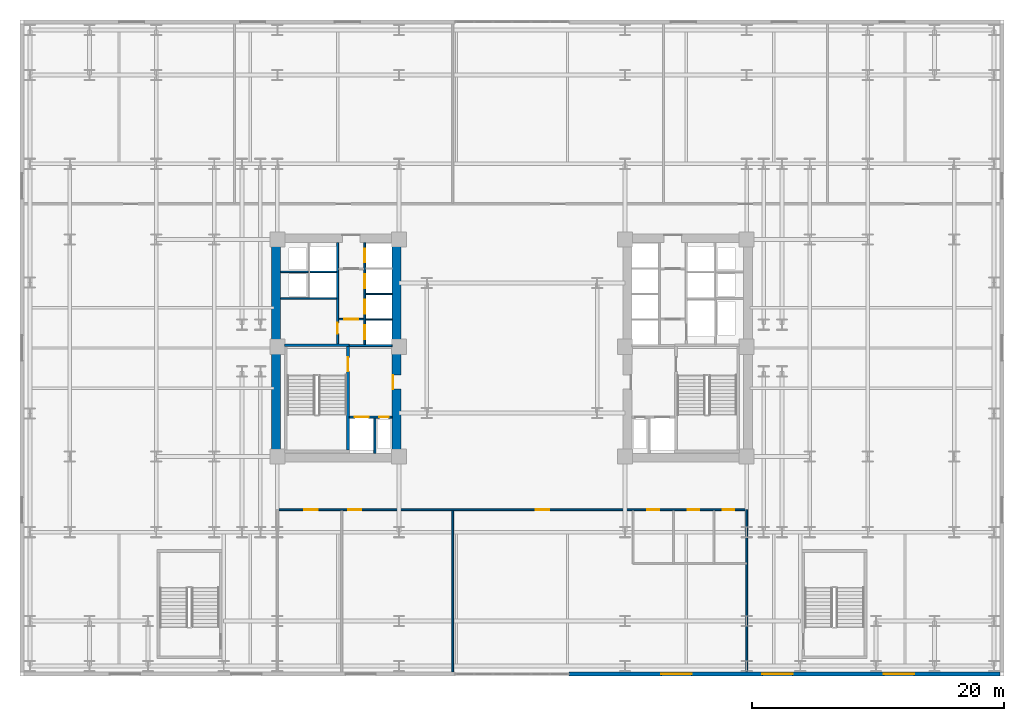
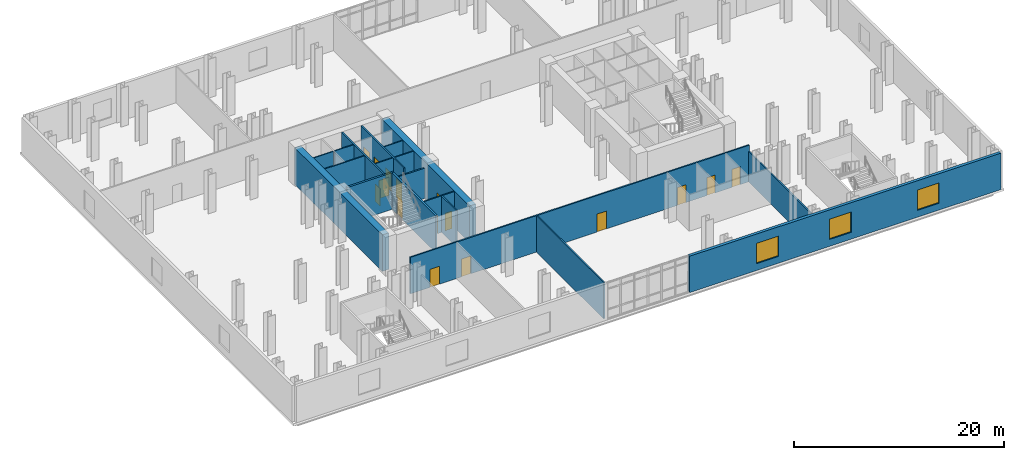
# One storey, part 8 of 13: 19 walls, 16 doors, 3 windows, 19 openings.
"""IFC4 building model written with IfcOpenShell, lengths in metres."""

from ifc_helpers import new_model, si_unit, direction, frame, frame_2d, origin, place, context, subcontext, project, spatial, rectangle, extrude, material, layer, layer_set, type_object, element, fill, save


model = new_model("IFC4")

# Units and contexts
model_context = context("Model", 3, precision=1e-05, world=origin(), true_north=direction((0.0, 1.0)))
body_context = subcontext(model_context, "Body", "Model", "MODEL_VIEW")
ifc_project = project(units=[si_unit("LENGTHUNIT", "METRE"), si_unit("AREAUNIT", "SQUARE_METRE"), si_unit("VOLUMEUNIT", "CUBIC_METRE"), si_unit("PLANEANGLEUNIT", "RADIAN"), si_unit("MASSUNIT", "GRAM", prefix="KILO")], contexts=[model_context])

# Site, building, storey
site_placement = place(None, origin())
site = spatial("IfcSite", under=ifc_project, at=site_placement, CompositionType="ELEMENT")
building_placement = place(site_placement, origin())
building = spatial("IfcBuilding", under=site, at=building_placement, Name="Velakula Bourse", CompositionType="ELEMENT")
storey_placement = place(building_placement, frame((0.0, 0.0, 9.60009765625)))
storey = spatial("IfcBuildingStorey", under=building, at=storey_placement, Name="L02", CompositionType="ELEMENT", Elevation=9.60009765625)

# Wall, opening, door
ifc_material_1 = material(Name="Concrete M50 (fck 50 MPa)", Category="concrete")
ifc_layer_1 = layer(ifc_material_1, 0.2099609375, Name="Concrete M50 (fck 50 MPa)", Category="concrete")
ifc_layer_set_1 = layer_set([ifc_layer_1], Name="Concrete M50 (fck 50 MPa)")
wall_type_1 = type_object("IfcWallType", Name="WL-CORE-210", PredefinedType="SHEAR", material=ifc_layer_set_1)
wall_1_placement = place(storey_placement, frame((-12.9951171875, -8.10009765625, 0.0), z_axis=(0.0, 0.0, 1.0), x_axis=(0.0, 1.0, 0.0)))
wall_1 = element("IfcWall", 1, at=wall_1_placement, inside=storey, type_object=wall_type_1, Name="L02 Core W Stairwell Shear Wall IN", PredefinedType="SHEAR", context=body_context, shape_type="SweptSolid", body=[
    extrude(rectangle(XDim=8.2001953125, YDim=0.2099609375, at=frame_2d((4.10009765625, 0.0))), origin(), (0.0, 0.0, 1.0), 4.25),
])
opening_1_placement = place(wall_1_placement, frame((6.25, 0.0, 0.0)))
opening_1 = element("IfcOpeningElement", 2, at=opening_1_placement, cuts=wall_1, Name="Opening D-STW1", PredefinedType="OPENING", context=body_context, shape_type="SweptSolid", body=[
    extrude(rectangle(XDim=1.10009765625, YDim=2.14990234375, at=frame_2d((0.550048828125, 1.074951171875))), frame((0.0, 0.114990234375, 0.0), z_axis=(0.0, -1.0, 0.0), x_axis=(1.0, 0.0, 0.0)), (0.0, 0.0, 1.0), 0.22998046875),
])
ifc_material_2 = material(Name="Galvanised painted hollow steel fire door", Category="steel")
door_type_1 = type_object("IfcDoorType", Name="DR-FD120-1100x2150", OperationType="NOTDEFINED", PredefinedType="DOOR", material=ifc_material_2)
door_1_placement = place(opening_1_placement, origin())
door_1 = element("IfcDoor", 3, at=door_1_placement, inside=storey, type_object=door_type_1, Name="L02 Stair ST-W1 Fire Door", OperationType="SINGLE_SWING_LEFT", OverallHeight=2.14990234375, OverallWidth=1.10009765625, PredefinedType="DOOR", context=body_context, shape_type="SweptSolid", body=[
    extrude(rectangle(XDim=1.10009765625, YDim=2.14990234375, at=frame_2d((0.550048828125, 1.074951171875))), frame((0.0, 0.02490234375, 0.0), z_axis=(0.0, -1.0, 0.0), x_axis=(1.0, 0.0, 0.0)), (0.0, 0.0, 1.0), 0.050048828125),
])
fill(opening_1, door_1)

# Walls
wall_2_placement = place(storey_placement, frame((-12.889892578125, 0.205078125, 0.0), z_axis=(0.0, 0.0, 1.0), x_axis=(-1.0, 0.0, 0.0)))
element("IfcWall", 4, at=wall_2_placement, inside=storey, type_object=wall_type_1, Name="L02 Core W Stairwell Shear Wall N", PredefinedType="SHEAR", context=body_context, shape_type="SweptSolid", body=[
    extrude(rectangle(XDim=5.14013671875, YDim=0.2099609375, at=frame_2d((2.570068359375, 0.0))), origin(), (0.0, 0.0, 1.0), 4.25),
])
ifc_material_3 = material(Name="Concrete M70 (fck 70 MPa)", Category="concrete")
ifc_layer_2 = layer(ifc_material_3, 0.699951171875, Name="Concrete M70 (fck 70 MPa)", Category="concrete")
ifc_layer_set_2 = layer_set([ifc_layer_2], Name="Concrete M70 (fck 70 MPa)")
wall_type_2 = type_object("IfcWallType", Name="WL-CORE-700", PredefinedType="SHEAR", material=ifc_layer_set_2)
wall_3_placement = place(storey_placement, frame((-18.699951171875, -8.35009765625, 0.0), z_axis=(0.0, 0.0, 1.0), x_axis=(0.0, 1.0, 0.0)))
element("IfcWall", 5, at=wall_3_placement, inside=storey, type_object=wall_type_2, Name="L02 Core W Shear Wall W", PredefinedType="SHEAR", context=body_context, shape_type="SweptSolid", body=[
    extrude(rectangle(XDim=16.7001953125, YDim=0.699951171875, at=frame_2d((8.35009765625, 0.0))), origin(), (0.0, 0.0, 1.0), 4.25),
])

# Wall, opening, door
wall_4_placement = place(storey_placement, frame((-9.14990234375, -8.35009765625, 0.0), z_axis=(0.0, 0.0, 1.0), x_axis=(0.0, 1.0, 0.0)))
wall_4 = element("IfcWall", 6, at=wall_4_placement, inside=storey, type_object=wall_type_2, Name="L02 Core W Shear Wall E", PredefinedType="SHEAR", context=body_context, shape_type="SweptSolid", body=[
    extrude(rectangle(XDim=16.7001953125, YDim=0.699951171875, at=frame_2d((8.35009765625, 0.0))), origin(), (0.0, 0.0, 1.0), 4.25),
])
opening_2_placement = place(wall_4_placement, frame((5.10009765625, 0.0, 0.0)))
opening_2 = element("IfcOpeningElement", 7, at=opening_2_placement, cuts=wall_4, Name="Opening D-FLW", PredefinedType="OPENING", context=body_context, shape_type="SweptSolid", body=[
    extrude(rectangle(XDim=1.10009765625, YDim=2.080078125, at=frame_2d((0.550048828125, 1.0400390625))), frame((0.0, 0.35986328125, 0.0), z_axis=(0.0, -1.0, 0.0), x_axis=(1.0, 0.0, 0.0)), (0.0, 0.0, 1.0), 0.719970703125),
])
door_type_2 = type_object("IfcDoorType", Name="DR-FD120-1100", OperationType="NOTDEFINED", PredefinedType="DOOR", material=ifc_material_2)
door_2_placement = place(opening_2_placement, origin())
door_2 = element("IfcDoor", 8, at=door_2_placement, inside=storey, type_object=door_type_2, Name="L02 Firefighting Lobby W Corridor Fire Door", OperationType="SINGLE_SWING_LEFT", OverallHeight=2.080078125, OverallWidth=1.10009765625, PredefinedType="DOOR", context=body_context, shape_type="SweptSolid", body=[
    extrude(rectangle(XDim=1.10009765625, YDim=2.080078125, at=frame_2d((0.550048828125, 1.0400390625))), frame((0.0, 0.30517578125, 0.0), z_axis=(0.0, -1.0, 0.0), x_axis=(1.0, 0.0, 0.0)), (0.0, 0.0, 1.0), 0.050048828125),
])
fill(opening_2, door_2)

# Wall, openings, windows
ifc_material_4 = material(Name="Red kilned clay facing brick masonry", Category="masonry")
ifc_layer_3 = layer(ifc_material_4, 0.320068359375, Name="Red kilned clay facing brick masonry", Category="masonry")
ifc_layer_set_3 = layer_set([ifc_layer_3], Name="Red kilned clay facing brick masonry")
wall_type_3 = type_object("IfcWallType", Name="WL-EXT-BRK-320", PredefinedType="STANDARD", material=ifc_layer_set_3)
wall_5_placement = place(storey_placement, frame((38.679931640625, -25.840087890625, 0.0), z_axis=(0.0, 0.0, 1.0), x_axis=(-1.0, 0.0, 0.0)))
wall_5 = element("IfcWall", 9, at=wall_5_placement, inside=storey, type_object=wall_type_3, Name="L02 South Brick Facade Wall 1", PredefinedType="STANDARD", context=body_context, shape_type="SweptSolid", body=[
    extrude(rectangle(XDim=34.179931640625, YDim=0.320068359375, at=frame_2d((17.08984375, 0.0))), origin(), (0.0, 0.0, 1.0), 4.22998046875),
])
opening_3_placement = place(wall_5_placement, frame((6.794921875, 0.0, 0.800048828125)))
opening_3 = element("IfcOpeningElement", 10, at=opening_3_placement, cuts=wall_5, Name="Opening W-06", PredefinedType="OPENING", context=body_context, shape_type="SweptSolid", body=[
    extrude(rectangle(XDim=2.39990234375, YDim=2.35009765625, at=frame_2d((1.199951171875, 1.175048828125))), frame((0.0, 0.169921875, 0.0), z_axis=(0.0, -1.0, 0.0), x_axis=(1.0, 0.0, 0.0)), (0.0, 0.0, 1.0), 0.340087890625),
])
opening_4_placement = place(wall_5_placement, frame((16.43994140625, 0.0, 0.800048828125)))
opening_4 = element("IfcOpeningElement", 11, at=opening_4_placement, cuts=wall_5, Name="Opening W-06", PredefinedType="OPENING", context=body_context, shape_type="SweptSolid", body=[
    extrude(rectangle(XDim=2.39990234375, YDim=2.35009765625, at=frame_2d((1.199951171875, 1.175048828125))), frame((0.0, 0.169921875, 0.0), z_axis=(0.0, -1.0, 0.0), x_axis=(1.0, 0.0, 0.0)), (0.0, 0.0, 1.0), 0.340087890625),
])
opening_5_placement = place(wall_5_placement, frame((24.43505859375, 0.0, 0.800048828125)))
opening_5 = element("IfcOpeningElement", 12, at=opening_5_placement, cuts=wall_5, Name="Opening W-06", PredefinedType="OPENING", context=body_context, shape_type="SweptSolid", body=[
    extrude(rectangle(XDim=2.39990234375, YDim=2.35009765625, at=frame_2d((1.199951171875, 1.175048828125))), frame((0.0, 0.169921875, 0.0), z_axis=(0.0, -1.0, 0.0), x_axis=(1.0, 0.0, 0.0)), (0.0, 0.0, 1.0), 0.340087890625),
])
ifc_material_5 = material(Name="Double-glazed solar-control Low-E glass", Category="glass")
window_type = type_object("IfcWindowType", Name="WIN-POD-2400x2600", PartitioningType="DOUBLE_PANEL_VERTICAL", PredefinedType="WINDOW", material=ifc_material_5)
window_1_placement = place(opening_3_placement, origin())
window_1 = element("IfcWindow", 13, at=window_1_placement, inside=storey, type_object=window_type, Name="L02 Deep-Set Recessed Window 1", OverallHeight=2.35009765625, OverallWidth=2.39990234375, PartitioningType="DOUBLE_PANEL_VERTICAL", PredefinedType="WINDOW", context=body_context, shape_type="SweptSolid", body=[
    extrude(rectangle(XDim=2.39990234375, YDim=2.35009765625, at=frame_2d((1.199951171875, 1.175048828125))), frame((0.0, 0.030029296875, 0.0), z_axis=(0.0, -1.0, 0.0), x_axis=(1.0, 0.0, 0.0)), (0.0, 0.0, 1.0), 0.06005859375),
])
fill(opening_3, window_1)
window_2_placement = place(opening_4_placement, origin())
window_2 = element("IfcWindow", 14, at=window_2_placement, inside=storey, type_object=window_type, Name="L02 Deep-Set Recessed Window 2", OverallHeight=2.35009765625, OverallWidth=2.39990234375, PartitioningType="DOUBLE_PANEL_VERTICAL", PredefinedType="WINDOW", context=body_context, shape_type="SweptSolid", body=[
    extrude(rectangle(XDim=2.39990234375, YDim=2.35009765625, at=frame_2d((1.199951171875, 1.175048828125))), frame((0.0, 0.030029296875, 0.0), z_axis=(0.0, -1.0, 0.0), x_axis=(1.0, 0.0, 0.0)), (0.0, 0.0, 1.0), 0.06005859375),
])
fill(opening_4, window_2)
window_3_placement = place(opening_5_placement, origin())
window_3 = element("IfcWindow", 15, at=window_3_placement, inside=storey, type_object=window_type, Name="L02 Deep-Set Recessed Window 3", OverallHeight=2.35009765625, OverallWidth=2.39990234375, PartitioningType="DOUBLE_PANEL_VERTICAL", PredefinedType="WINDOW", context=body_context, shape_type="SweptSolid", body=[
    extrude(rectangle(XDim=2.39990234375, YDim=2.35009765625, at=frame_2d((1.199951171875, 1.175048828125))), frame((0.0, 0.030029296875, 0.0), z_axis=(0.0, -1.0, 0.0), x_axis=(1.0, 0.0, 0.0)), (0.0, 0.0, 1.0), 0.06005859375),
])
fill(opening_5, window_3)

# Wall, opening, door
ifc_material_6 = material(Name="Fire-rated double-layer gypsum drywall partition", Category="gypsum")
ifc_layer_4 = layer(ifc_material_6, 0.1201171875, Name="Fire-rated double-layer gypsum drywall partition", Category="gypsum")
ifc_layer_set_4 = layer_set([ifc_layer_4], Name="Fire-rated double-layer gypsum drywall partition")
wall_type_4 = type_object("IfcWallType", Name="WL-PART-120", PredefinedType="STANDARD", material=ifc_layer_set_4)
wall_6_placement = place(storey_placement, frame((-13.75, 2.280029296875, 0.0), z_axis=(0.0, 0.0, 1.0), x_axis=(1.0, 0.0, 0.0)))
wall_6 = element("IfcWall", 16, at=wall_6_placement, inside=storey, type_object=wall_type_4, Name="L02 Interior Partition WL-CRW-L02-LL-K3A", PredefinedType="STANDARD", context=body_context, shape_type="SweptSolid", body=[
    extrude(rectangle(XDim=2.0, YDim=0.1201171875, at=frame_2d((1.0, 0.0))), origin(), (0.0, 0.0, 1.0), 4.22998046875),
])
opening_6_placement = place(wall_6_placement, frame((0.449951171875, 0.0, 0.0)))
opening_6 = element("IfcOpeningElement", 17, at=opening_6_placement, cuts=wall_6, Name="Opening D-LK3", PredefinedType="OPENING", context=body_context, shape_type="SweptSolid", body=[
    extrude(rectangle(XDim=1.10009765625, YDim=2.10009765625, at=frame_2d((0.550048828125, 1.050048828125))), frame((0.0, 0.070068359375, 0.0), z_axis=(0.0, -1.0, 0.0), x_axis=(1.0, 0.0, 0.0)), (0.0, 0.0, 1.0), 0.14013671875),
])
ifc_material_7 = material(Name="Fire-rated hardwood flush architectural door", Category="wood")
door_type_3 = type_object("IfcDoorType", Name="DR-FD60-1100x2100", OperationType="NOTDEFINED", PredefinedType="DOOR", material=ifc_material_7)
door_3_placement = place(opening_6_placement, origin())
door_3 = element("IfcDoor", 18, at=door_3_placement, inside=storey, type_object=door_type_3, Name="L02 Core W Lift Lobby Vestibule Door A", OperationType="SINGLE_SWING_RIGHT", OverallHeight=2.10009765625, OverallWidth=1.10009765625, PredefinedType="DOOR", context=body_context, shape_type="SweptSolid", body=[
    extrude(rectangle(XDim=1.10009765625, YDim=2.10009765625, at=frame_2d((0.550048828125, 1.050048828125))), frame((0.0, 0.02490234375, 0.0), z_axis=(0.0, -1.0, 0.0), x_axis=(1.0, 0.0, 0.0)), (0.0, 0.0, 1.0), 0.050048828125),
])
fill(opening_6, door_3)

# Walls
for number, where, z_axis, x_axis, name in (
    (19, (-11.60009765625, 2.2548828125, 0.0), (0.0, 0.0, 1.0), (1.0, 0.0, 0.0), "L02 Interior Partition WL-CRW-L02-BDIV-0"),
    (20, (-11.60009765625, 4.284912109375, 0.0), (0.0, 0.0, 1.0), (1.0, 0.0, 0.0), "L02 Interior Partition WL-CRW-L02-BDIV-1"),
):
    element("IfcWall", number, at=place(storey_placement, frame(where, z_axis=z_axis, x_axis=x_axis)), inside=storey, type_object=wall_type_4, Name=name, PredefinedType="STANDARD", context=body_context, shape_type="SweptSolid", body=[
        extrude(rectangle(XDim=2.10009765625, YDim=0.110107421875, at=frame_2d((1.050048828125, 0.0))), origin(), (0.0, 0.0, 1.0), 4.22998046875),
    ])
wall_7_placement = place(storey_placement, frame((-18.35009765625, 3.919921875, 0.0), z_axis=(0.0, 0.0, 1.0), x_axis=(1.0, 0.0, 0.0)))
element("IfcWall", 21, at=wall_7_placement, inside=storey, type_object=wall_type_4, Name="L02 Interior Partition WL-CRW-L02-HI-S", PredefinedType="STANDARD", context=body_context, shape_type="SweptSolid", body=[
    extrude(rectangle(XDim=4.4501953125, YDim=0.1201171875, at=frame_2d((2.22509765625, 0.0))), origin(), (0.0, 0.0, 1.0), 4.22998046875),
])
wall_8_placement = place(storey_placement, frame((-18.35009765625, 6.030029296875, 0.0), z_axis=(0.0, 0.0, 1.0), x_axis=(1.0, 0.0, 0.0)))
element("IfcWall", 22, at=wall_8_placement, inside=storey, type_object=wall_type_4, Name="L02 Interior Partition WL-CRW-L02-RIS-MID", PredefinedType="STANDARD", context=body_context, shape_type="SweptSolid", body=[
    extrude(rectangle(XDim=2.2001953125, YDim=0.1201171875, at=frame_2d((1.10009765625, 0.0))), origin(), (0.0, 0.0, 1.0), 4.22998046875),
])
wall_9_placement = place(storey_placement, frame((-16.0, 6.030029296875, 0.0), z_axis=(0.0, 0.0, 1.0), x_axis=(1.0, 0.0, 0.0)))
element("IfcWall", 23, at=wall_9_placement, inside=storey, type_object=wall_type_4, Name="L02 Interior Partition WL-CRW-L02-HI-DIV", PredefinedType="STANDARD", context=body_context, shape_type="SweptSolid", body=[
    extrude(rectangle(XDim=2.10009765625, YDim=0.1201171875, at=frame_2d((1.050048828125, 0.0))), origin(), (0.0, 0.0, 1.0), 4.22998046875),
])
ifc_layer_5 = layer(ifc_material_6, 0.139892578125, Name="Fire-rated double-layer gypsum drywall partition", Category="gypsum")
ifc_layer_set_5 = layer_set([ifc_layer_5], Name="Fire-rated double-layer gypsum drywall partition")
wall_type_5 = type_object("IfcWallType", Name="WL-PART-140", PredefinedType="STANDARD", material=ifc_layer_set_5)
wall_10_placement = place(storey_placement, frame((18.60009765625, -25.679931640625, 0.0), z_axis=(0.0, 0.0, 1.0), x_axis=(0.0, 1.0, 0.0)))
element("IfcWall", 24, at=wall_10_placement, inside=storey, type_object=wall_type_5, Name="L02 Interior Partition WL-POD-L02-SE-END", PredefinedType="STANDARD", context=body_context, shape_type="SweptSolid", body=[
    extrude(rectangle(XDim=12.85986328125, YDim=0.139892578125, at=frame_2d((6.429931640625, 0.0))), origin(), (0.0, 0.0, 1.0), 3.52490234375),
])

# Wall, openings, doors
wall_11_placement = place(storey_placement, frame((-18.60009765625, -12.820068359375, 0.0), z_axis=(0.0, 0.0, 1.0), x_axis=(1.0, 0.0, 0.0)))
wall_11 = element("IfcWall", 25, at=wall_11_placement, inside=storey, type_object=wall_type_5, Name="L02 Interior Partition WL-POD-L02-S-CORR", PredefinedType="STANDARD", context=body_context, shape_type="SweptSolid", body=[
    extrude(rectangle(XDim=37.2001953125, YDim=0.14990234375, at=frame_2d((18.60009765625, 0.0))), origin(), (0.0, 0.0, 1.0), 4.22998046875),
])
opening_7_placement = place(wall_11_placement, frame((29.340087890625, 0.0, 0.0)))
opening_7 = element("IfcOpeningElement", 26, at=opening_7_placement, cuts=wall_11, Name="Opening D-WT1", PredefinedType="OPENING", context=body_context, shape_type="SweptSolid", body=[
    extrude(rectangle(XDim=0.919921875, YDim=2.080078125, at=frame_2d((0.4599609375, 1.0400390625))), frame((0.0, 0.0849609375, 0.0), z_axis=(0.0, -1.0, 0.0), x_axis=(1.0, 0.0, 0.0)), (0.0, 0.0, 1.0), 0.169921875),
])
opening_8_placement = place(wall_11_placement, frame((32.5400390625, 0.0, 0.0)))
opening_8 = element("IfcOpeningElement", 27, at=opening_8_placement, cuts=wall_11, Name="Opening D-WT1", PredefinedType="OPENING", context=body_context, shape_type="SweptSolid", body=[
    extrude(rectangle(XDim=0.919921875, YDim=2.080078125, at=frame_2d((0.4599609375, 1.0400390625))), frame((0.0, 0.0849609375, 0.0), z_axis=(0.0, -1.0, 0.0), x_axis=(1.0, 0.0, 0.0)), (0.0, 0.0, 1.0), 0.169921875),
])
opening_9_placement = place(wall_11_placement, frame((35.31396484375, 0.0, 0.0)))
opening_9 = element("IfcOpeningElement", 28, at=opening_9_placement, cuts=wall_11, Name="Opening D-WC1", PredefinedType="OPENING", context=body_context, shape_type="SweptSolid", body=[
    extrude(rectangle(XDim=0.919921875, YDim=2.080078125, at=frame_2d((0.4599609375, 1.0400390625))), frame((0.0, 0.0849609375, 0.0), z_axis=(0.0, -1.0, 0.0), x_axis=(1.0, 0.0, 0.0)), (0.0, 0.0, 1.0), 0.169921875),
])
opening_10_placement = place(wall_11_placement, frame((2.15087890625, 0.0, 0.0)))
opening_10 = element("IfcOpeningElement", 29, at=opening_10_placement, cuts=wall_11, Name="Opening D-PD2", PredefinedType="OPENING", context=body_context, shape_type="SweptSolid", body=[
    extrude(rectangle(XDim=1.050048828125, YDim=2.080078125, at=frame_2d((0.52490234375, 1.0400390625))), frame((0.0, 0.0849609375, 0.0), z_axis=(0.0, -1.0, 0.0), x_axis=(1.0, 0.0, 0.0)), (0.0, 0.0, 1.0), 0.169921875),
])
opening_11_placement = place(wall_11_placement, frame((5.60302734375, 0.0, 0.0)))
opening_11 = element("IfcOpeningElement", 30, at=opening_11_placement, cuts=wall_11, Name="Opening D-PD2", PredefinedType="OPENING", context=body_context, shape_type="SweptSolid", body=[
    extrude(rectangle(XDim=1.050048828125, YDim=2.080078125, at=frame_2d((0.52490234375, 1.0400390625))), frame((0.0, 0.0849609375, 0.0), z_axis=(0.0, -1.0, 0.0), x_axis=(1.0, 0.0, 0.0)), (0.0, 0.0, 1.0), 0.169921875),
])
opening_12_placement = place(wall_11_placement, frame((20.4951171875, 0.0, 0.0)))
opening_12 = element("IfcOpeningElement", 31, at=opening_12_placement, cuts=wall_11, Name="Opening D-PD2", PredefinedType="OPENING", context=body_context, shape_type="SweptSolid", body=[
    extrude(rectangle(XDim=1.050048828125, YDim=2.080078125, at=frame_2d((0.52490234375, 1.0400390625))), frame((0.0, 0.0849609375, 0.0), z_axis=(0.0, -1.0, 0.0), x_axis=(1.0, 0.0, 0.0)), (0.0, 0.0, 1.0), 0.169921875),
])
door_type_4 = type_object("IfcDoorType", Name="DR-OFF-1050", OperationType="NOTDEFINED", PredefinedType="DOOR", material=ifc_material_7)
door_4_placement = place(opening_10_placement, origin())
door_4 = element("IfcDoor", 32, at=door_4_placement, inside=storey, type_object=door_type_4, Name="L02 Financial Bookshop Retail Kiosk Door", OperationType="SINGLE_SWING_LEFT", OverallHeight=2.080078125, OverallWidth=1.050048828125, PredefinedType="DOOR", context=body_context, shape_type="SweptSolid", body=[
    extrude(rectangle(XDim=1.050048828125, YDim=2.080078125, at=frame_2d((0.52490234375, 1.0400390625))), frame((0.0, 0.02490234375, 0.0), z_axis=(0.0, -1.0, 0.0), x_axis=(1.0, 0.0, 0.0)), (0.0, 0.0, 1.0), 0.050048828125),
])
fill(opening_10, door_4)
door_5_placement = place(opening_11_placement, origin())
door_5 = element("IfcDoor", 33, at=door_5_placement, inside=storey, type_object=door_type_4, Name="L02 Investor Seminar Room B Door", OperationType="SINGLE_SWING_RIGHT", OverallHeight=2.080078125, OverallWidth=1.050048828125, PredefinedType="DOOR", context=body_context, shape_type="SweptSolid", body=[
    extrude(rectangle(XDim=1.050048828125, YDim=2.080078125, at=frame_2d((0.52490234375, 1.0400390625))), frame((0.0, 0.02490234375, 0.0), z_axis=(0.0, -1.0, 0.0), x_axis=(1.0, 0.0, 0.0)), (0.0, 0.0, 1.0), 0.050048828125),
])
fill(opening_11, door_5)
door_6_placement = place(opening_12_placement, origin())
door_6 = element("IfcDoor", 34, at=door_6_placement, inside=storey, type_object=door_type_4, Name="L02 Archival Reading Library Door", OperationType="SINGLE_SWING_LEFT", OverallHeight=2.080078125, OverallWidth=1.050048828125, PredefinedType="DOOR", context=body_context, shape_type="SweptSolid", body=[
    extrude(rectangle(XDim=1.050048828125, YDim=2.080078125, at=frame_2d((0.52490234375, 1.0400390625))), frame((0.0, 0.02490234375, 0.0), z_axis=(0.0, -1.0, 0.0), x_axis=(1.0, 0.0, 0.0)), (0.0, 0.0, 1.0), 0.050048828125),
])
fill(opening_12, door_6)
door_type_5 = type_object("IfcDoorType", Name="DR-WC-950", OperationType="NOTDEFINED", PredefinedType="DOOR", material=ifc_material_7)
door_7_placement = place(opening_7_placement, origin())
door_7 = element("IfcDoor", 35, at=door_7_placement, inside=storey, type_object=door_type_5, Name="L02 Male Public Toilet Door", OperationType="SINGLE_SWING_RIGHT", OverallHeight=2.080078125, OverallWidth=0.919921875, PredefinedType="DOOR", context=body_context, shape_type="SweptSolid", body=[
    extrude(rectangle(XDim=0.919921875, YDim=2.080078125, at=frame_2d((0.4599609375, 1.0400390625))), frame((0.0, 0.02490234375, 0.0), z_axis=(0.0, -1.0, 0.0), x_axis=(1.0, 0.0, 0.0)), (0.0, 0.0, 1.0), 0.050048828125),
])
fill(opening_7, door_7)
door_8_placement = place(opening_8_placement, origin())
door_8 = element("IfcDoor", 36, at=door_8_placement, inside=storey, type_object=door_type_5, Name="L02 Female Public Toilet Door", OperationType="SINGLE_SWING_LEFT", OverallHeight=2.080078125, OverallWidth=0.919921875, PredefinedType="DOOR", context=body_context, shape_type="SweptSolid", body=[
    extrude(rectangle(XDim=0.919921875, YDim=2.080078125, at=frame_2d((0.4599609375, 1.0400390625))), frame((0.0, 0.02490234375, 0.0), z_axis=(0.0, -1.0, 0.0), x_axis=(1.0, 0.0, 0.0)), (0.0, 0.0, 1.0), 0.050048828125),
])
fill(opening_8, door_8)
door_9_placement = place(opening_9_placement, origin())
door_9 = element("IfcDoor", 37, at=door_9_placement, inside=storey, type_object=door_type_5, Name="L02 Accessible WC Door", OperationType="SINGLE_SWING_RIGHT", OverallHeight=2.080078125, OverallWidth=0.919921875, PredefinedType="DOOR", context=body_context, shape_type="SweptSolid", body=[
    extrude(rectangle(XDim=0.919921875, YDim=2.080078125, at=frame_2d((0.4599609375, 1.0400390625))), frame((0.0, 0.02490234375, 0.0), z_axis=(0.0, -1.0, 0.0), x_axis=(1.0, 0.0, 0.0)), (0.0, 0.0, 1.0), 0.050048828125),
])
fill(opening_9, door_9)

# Wall
wall_12_placement = place(storey_placement, frame((-4.699951171875, -25.679931640625, 0.0), z_axis=(0.0, 0.0, 1.0), x_axis=(0.0, 1.0, 0.0)))
element("IfcWall", 38, at=wall_12_placement, inside=storey, type_object=wall_type_5, Name="L02 Interior Partition WL-POD-L02-SD2", PredefinedType="STANDARD", context=body_context, shape_type="SweptSolid", body=[
    extrude(rectangle(XDim=12.7900390625, YDim=0.139892578125, at=frame_2d((6.39501953125, 0.0))), origin(), (0.0, 0.0, 1.0), 4.22998046875),
])

# Wall, openings, doors
ifc_material_8 = material(Name="Autoclaved aerated concrete blockwork masonry", Category="masonry")
ifc_layer_6 = layer(ifc_material_8, 0.14990234375, Name="Autoclaved aerated concrete blockwork masonry", Category="masonry")
ifc_layer_set_6 = layer_set([ifc_layer_6], Name="Autoclaved aerated concrete blockwork masonry")
wall_type_6 = type_object("IfcWallType", Name="WL-SHAFT-150", PredefinedType="STANDARD", material=ifc_layer_set_6)
wall_13_placement = place(storey_placement, frame((-12.89501953125, -5.47509765625, 0.0), z_axis=(0.0, 0.0, 1.0), x_axis=(1.0, 0.0, 0.0)))
wall_13 = element("IfcWall", 39, at=wall_13_placement, inside=storey, type_object=wall_type_6, Name="L02 Interior Partition WL-CRW-L02-FFL-N", PredefinedType="STANDARD", context=body_context, shape_type="SweptSolid", body=[
    extrude(rectangle(XDim=3.39501953125, YDim=0.14990234375, at=frame_2d((1.697509765625, 0.0))), origin(), (0.0, 0.0, 1.0), 4.22998046875),
])
opening_13_placement = place(wall_13_placement, frame((0.419921875, 0.0, 0.0)))
opening_13 = element("IfcOpeningElement", 40, at=opening_13_placement, cuts=wall_13, Name="Opening LD-FFL-1", PredefinedType="OPENING", context=body_context, shape_type="SweptSolid", body=[
    extrude(rectangle(XDim=1.10009765625, YDim=2.14990234375, at=frame_2d((0.550048828125, 1.074951171875))), frame((0.0, 0.0849609375, 0.0), z_axis=(0.0, -1.0, 0.0), x_axis=(1.0, 0.0, 0.0)), (0.0, 0.0, 1.0), 0.169921875),
])
opening_14_placement = place(wall_13_placement, frame((2.3701171875, 0.0, 0.0)))
opening_14 = element("IfcOpeningElement", 41, at=opening_14_placement, cuts=wall_13, Name="Opening D-RS1", PredefinedType="OPENING", context=body_context, shape_type="SweptSolid", body=[
    extrude(rectangle(XDim=0.75, YDim=2.050048828125, at=frame_2d((0.375, 1.02490234375))), frame((0.0, 0.0849609375, 0.0), z_axis=(0.0, -1.0, 0.0), x_axis=(1.0, 0.0, 0.0)), (0.0, 0.0, 1.0), 0.169921875),
])
door_type_6 = type_object("IfcDoorType", Name="DR-RISER-800", OperationType="NOTDEFINED", PredefinedType="DOOR", material=ifc_material_2)
door_10_placement = place(opening_14_placement, origin())
door_10 = element("IfcDoor", 42, at=door_10_placement, inside=storey, type_object=door_type_6, Name="L02 Fire Riser Access Door", OperationType="SINGLE_SWING_RIGHT", OverallHeight=2.050048828125, OverallWidth=0.75, PredefinedType="DOOR", context=body_context, shape_type="SweptSolid", body=[
    extrude(rectangle(XDim=0.75, YDim=2.050048828125, at=frame_2d((0.375, 1.02490234375))), frame((0.0, 0.02490234375, 0.0), z_axis=(0.0, -1.0, 0.0), x_axis=(1.0, 0.0, 0.0)), (0.0, 0.0, 1.0), 0.050048828125),
])
fill(opening_14, door_10)
ifc_material_9 = material(Name="Brushed grade 316 stainless steel", Category="steel")
door_type_7 = type_object("IfcDoorType", Name="DR-SLIDE-FFL-1100", OperationType="DOUBLE_DOOR_SLIDING", PredefinedType="DOOR", material=ifc_material_9)
door_11_placement = place(opening_13_placement, origin())
door_11 = element("IfcDoor", 43, at=door_11_placement, inside=storey, type_object=door_type_7, Name="L02 Firefighting Lift FFL-1 Sliding Landing Door", OperationType="DOUBLE_DOOR_SLIDING", OverallHeight=2.14990234375, OverallWidth=1.10009765625, PredefinedType="DOOR", context=body_context, shape_type="SweptSolid", body=[
    extrude(rectangle(XDim=1.10009765625, YDim=2.14990234375, at=frame_2d((0.550048828125, 1.074951171875))), frame((0.0, 0.02490234375, 0.0), z_axis=(0.0, -1.0, 0.0), x_axis=(1.0, 0.0, 0.0)), (0.0, 0.0, 1.0), 0.050048828125),
])
fill(opening_13, door_11)

# Walls
wall_14_placement = place(storey_placement, frame((-10.875, -8.35009765625, 0.0), z_axis=(0.0, 0.0, 1.0), x_axis=(0.0, 1.0, 0.0)))
element("IfcWall", 44, at=wall_14_placement, inside=storey, type_object=wall_type_6, Name="L02 Interior Partition WL-CRW-L02-FR-DIV", PredefinedType="STANDARD", context=body_context, shape_type="SweptSolid", body=[
    extrude(rectangle(XDim=2.800048828125, YDim=0.14990234375, at=frame_2d((1.39990234375, 0.0))), origin(), (0.0, 0.0, 1.0), 4.22998046875),
])
wall_15_placement = place(storey_placement, frame((-12.889892578125, 0.18994140625, 0.0), z_axis=(0.0, 0.0, 1.0), x_axis=(1.0, 0.0, 0.0)))
element("IfcWall", 45, at=wall_15_placement, inside=storey, type_object=wall_type_6, Name="L02 Interior Partition WL-CRW-L02-FF-TOP", PredefinedType="STANDARD", context=body_context, shape_type="SweptSolid", body=[
    extrude(rectangle(XDim=3.389892578125, YDim=0.14990234375, at=frame_2d((1.69482421875, 0.0))), origin(), (0.0, 0.0, 1.0), 3.52490234375),
])

# Wall, openings, doors
wall_16_placement = place(storey_placement, frame((-11.675048828125, 0.27001953125, 0.0), z_axis=(0.0, 0.0, 1.0), x_axis=(0.0, 1.0, 0.0)))
wall_16 = element("IfcWall", 46, at=wall_16_placement, inside=storey, type_object=wall_type_6, Name="L02 Interior Partition WL-CRW-L02-BANK-F", PredefinedType="STANDARD", context=body_context, shape_type="SweptSolid", body=[
    extrude(rectangle(XDim=8.080078125, YDim=0.14990234375, at=frame_2d((4.0400390625, 0.0))), origin(), (0.0, 0.0, 1.0), 4.22998046875),
])
opening_15_placement = place(wall_16_placement, frame((0.419921875, 0.0, 0.0)))
opening_15 = element("IfcOpeningElement", 47, at=opening_15_placement, cuts=wall_16, Name="Opening LD-P1", PredefinedType="OPENING", context=body_context, shape_type="SweptSolid", body=[
    extrude(rectangle(XDim=1.10009765625, YDim=2.10009765625, at=frame_2d((0.550048828125, 1.050048828125))), frame((0.0, 0.0849609375, 0.0), z_axis=(0.0, -1.0, 0.0), x_axis=(1.0, 0.0, 0.0)), (0.0, 0.0, 1.0), 0.169921875),
])
opening_16_placement = place(wall_16_placement, frame((2.449951171875, 0.0, 0.0)))
opening_16 = element("IfcOpeningElement", 48, at=opening_16_placement, cuts=wall_16, Name="Opening LD-P2", PredefinedType="OPENING", context=body_context, shape_type="SweptSolid", body=[
    extrude(rectangle(XDim=1.10009765625, YDim=2.10009765625, at=frame_2d((0.550048828125, 1.050048828125))), frame((0.0, 0.0849609375, 0.0), z_axis=(0.0, -1.0, 0.0), x_axis=(1.0, 0.0, 0.0)), (0.0, 0.0, 1.0), 0.169921875),
])
opening_17_placement = place(wall_16_placement, frame((4.47998046875, 0.0, 0.0)))
opening_17 = element("IfcOpeningElement", 49, at=opening_17_placement, cuts=wall_16, Name="Opening LD-P3", PredefinedType="OPENING", context=body_context, shape_type="SweptSolid", body=[
    extrude(rectangle(XDim=1.10009765625, YDim=2.10009765625, at=frame_2d((0.550048828125, 1.050048828125))), frame((0.0, 0.0849609375, 0.0), z_axis=(0.0, -1.0, 0.0), x_axis=(1.0, 0.0, 0.0)), (0.0, 0.0, 1.0), 0.169921875),
])
opening_18_placement = place(wall_16_placement, frame((6.510009765625, 0.0, 0.0)))
opening_18 = element("IfcOpeningElement", 50, at=opening_18_placement, cuts=wall_16, Name="Opening LD-P4", PredefinedType="OPENING", context=body_context, shape_type="SweptSolid", body=[
    extrude(rectangle(XDim=1.10009765625, YDim=2.10009765625, at=frame_2d((0.550048828125, 1.050048828125))), frame((0.0, 0.0849609375, 0.0), z_axis=(0.0, -1.0, 0.0), x_axis=(1.0, 0.0, 0.0)), (0.0, 0.0, 1.0), 0.169921875),
])
door_type_8 = type_object("IfcDoorType", Name="DR-SLIDE-LD-1100", OperationType="DOUBLE_DOOR_SLIDING", PredefinedType="DOOR", material=ifc_material_9)
door_12_placement = place(opening_15_placement, origin())
door_12 = element("IfcDoor", 51, at=door_12_placement, inside=storey, type_object=door_type_8, Name="L02 Passenger Lift P1 Sliding Landing Door", OperationType="DOUBLE_DOOR_SLIDING", OverallHeight=2.10009765625, OverallWidth=1.10009765625, PredefinedType="DOOR", context=body_context, shape_type="SweptSolid", body=[
    extrude(rectangle(XDim=1.10009765625, YDim=2.10009765625, at=frame_2d((0.550048828125, 1.050048828125))), frame((0.0, 0.02490234375, 0.0), z_axis=(0.0, -1.0, 0.0), x_axis=(1.0, 0.0, 0.0)), (0.0, 0.0, 1.0), 0.050048828125),
])
fill(opening_15, door_12)
door_13_placement = place(opening_16_placement, origin())
door_13 = element("IfcDoor", 52, at=door_13_placement, inside=storey, type_object=door_type_8, Name="L02 Passenger Lift P2 Sliding Landing Door", OperationType="DOUBLE_DOOR_SLIDING", OverallHeight=2.10009765625, OverallWidth=1.10009765625, PredefinedType="DOOR", context=body_context, shape_type="SweptSolid", body=[
    extrude(rectangle(XDim=1.10009765625, YDim=2.10009765625, at=frame_2d((0.550048828125, 1.050048828125))), frame((0.0, 0.02490234375, 0.0), z_axis=(0.0, -1.0, 0.0), x_axis=(1.0, 0.0, 0.0)), (0.0, 0.0, 1.0), 0.050048828125),
])
fill(opening_16, door_13)
door_14_placement = place(opening_17_placement, origin())
door_14 = element("IfcDoor", 53, at=door_14_placement, inside=storey, type_object=door_type_8, Name="L02 Passenger Lift P3 Sliding Landing Door", OperationType="DOUBLE_DOOR_SLIDING", OverallHeight=2.10009765625, OverallWidth=1.10009765625, PredefinedType="DOOR", context=body_context, shape_type="SweptSolid", body=[
    extrude(rectangle(XDim=1.10009765625, YDim=2.10009765625, at=frame_2d((0.550048828125, 1.050048828125))), frame((0.0, 0.02490234375, 0.0), z_axis=(0.0, -1.0, 0.0), x_axis=(1.0, 0.0, 0.0)), (0.0, 0.0, 1.0), 0.050048828125),
])
fill(opening_17, door_14)
door_15_placement = place(opening_18_placement, origin())
door_15 = element("IfcDoor", 54, at=door_15_placement, inside=storey, type_object=door_type_8, Name="L02 Passenger Lift P4 Sliding Landing Door", OperationType="DOUBLE_DOOR_SLIDING", OverallHeight=2.10009765625, OverallWidth=1.10009765625, PredefinedType="DOOR", context=body_context, shape_type="SweptSolid", body=[
    extrude(rectangle(XDim=1.10009765625, YDim=2.10009765625, at=frame_2d((0.550048828125, 1.050048828125))), frame((0.0, 0.02490234375, 0.0), z_axis=(0.0, -1.0, 0.0), x_axis=(1.0, 0.0, 0.0)), (0.0, 0.0, 1.0), 0.050048828125),
])
fill(opening_18, door_15)

# Wall, opening, door
wall_17_placement = place(storey_placement, frame((-13.824951171875, 0.27001953125, 0.0), z_axis=(0.0, 0.0, 1.0), x_axis=(0.0, 1.0, 0.0)))
wall_17 = element("IfcWall", 55, at=wall_17_placement, inside=storey, type_object=wall_type_6, Name="L02 Interior Partition WL-CRW-L02-OUT-F", PredefinedType="STANDARD", context=body_context, shape_type="SweptSolid", body=[
    extrude(rectangle(XDim=8.080078125, YDim=0.14990234375, at=frame_2d((4.0400390625, 0.0))), origin(), (0.0, 0.0, 1.0), 4.22998046875),
])
opening_19_placement = place(wall_17_placement, frame((0.85009765625, 0.0, 0.0)))
opening_19 = element("IfcOpeningElement", 56, at=opening_19_placement, cuts=wall_17, Name="Opening D-CR3", PredefinedType="OPENING", context=body_context, shape_type="SweptSolid", body=[
    extrude(rectangle(XDim=0.89990234375, YDim=2.050048828125, at=frame_2d((0.449951171875, 1.02490234375))), frame((0.0, 0.0849609375, 0.0), z_axis=(0.0, -1.0, 0.0), x_axis=(1.0, 0.0, 0.0)), (0.0, 0.0, 1.0), 0.169921875),
])
door_type_9 = type_object("IfcDoorType", Name="DR-INT-900", OperationType="NOTDEFINED", PredefinedType="DOOR", material=ifc_material_7)
door_16_placement = place(opening_19_placement, origin())
door_16 = element("IfcDoor", 57, at=door_16_placement, inside=storey, type_object=door_type_9, Name="L02 Core Stationery and Mail Room Door", OperationType="SINGLE_SWING_RIGHT", OverallHeight=2.050048828125, OverallWidth=0.89990234375, PredefinedType="DOOR", context=body_context, shape_type="SweptSolid", body=[
    extrude(rectangle(XDim=0.89990234375, YDim=2.050048828125, at=frame_2d((0.449951171875, 1.02490234375))), frame((0.0, 0.02490234375, 0.0), z_axis=(0.0, -1.0, 0.0), x_axis=(1.0, 0.0, 0.0)), (0.0, 0.0, 1.0), 0.050048828125),
])
fill(opening_19, door_16)

save(model, "model.ifc")
